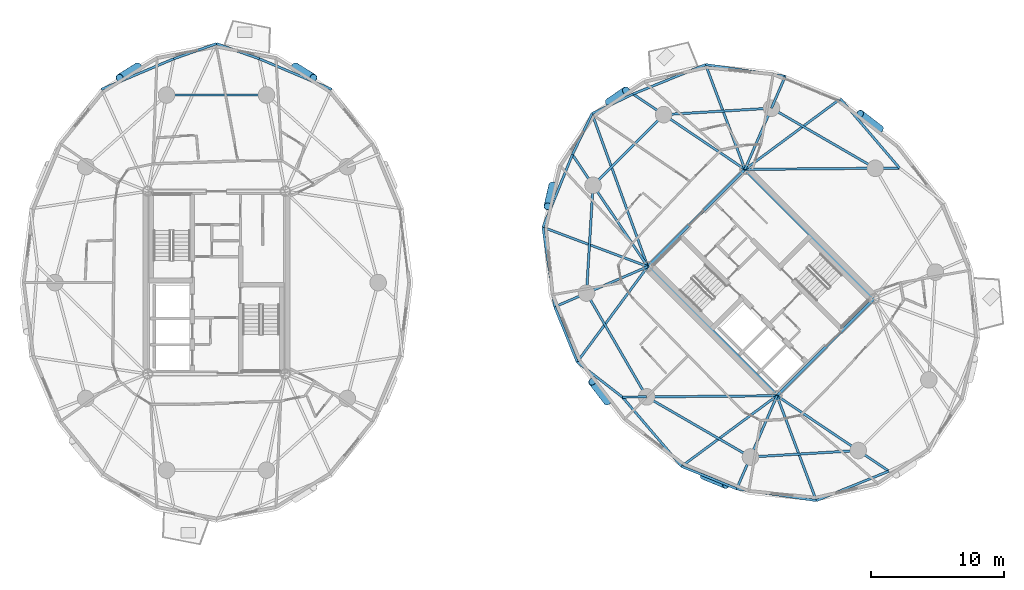
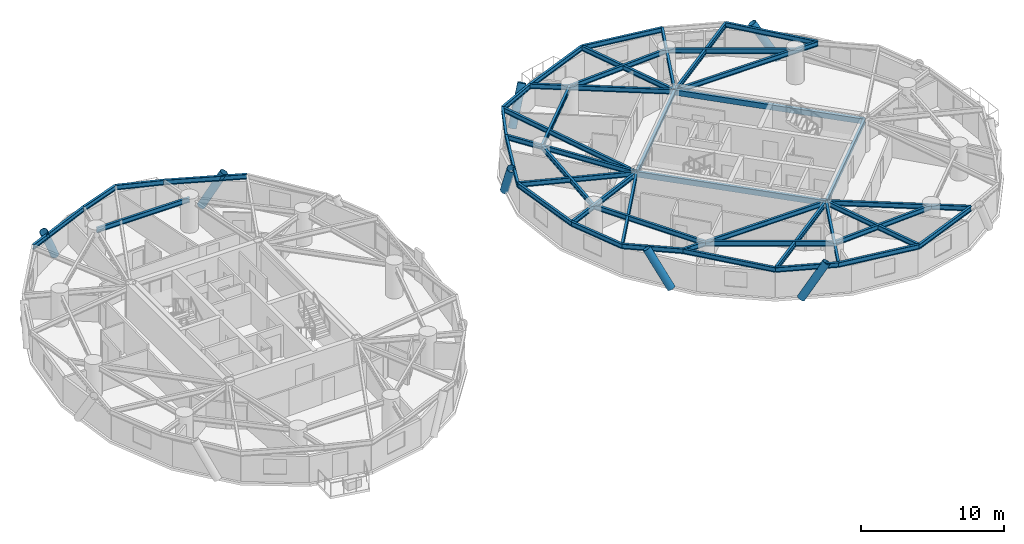
# One storey, part 5 of 17: 46 beams, 7 members.
"""IFC4 building model written with IfcOpenShell, lengths in metres."""

from ifc_helpers import new_model, si_unit, direction, frame, origin, origin_2d, place, context, subcontext, project, spatial, hollow_rectangle, hollow_circle, i_section, extrude, material, material_profile, profile_set, type_object, element, save


model = new_model("IFC4")

# Units and contexts
model_context = context("Model", 3, precision=1e-05, world=origin(), true_north=direction((0.0, 1.0)))
body_context = subcontext(model_context, "Body", "Model", "MODEL_VIEW")
ifc_project = project(units=[si_unit("LENGTHUNIT", "METRE"), si_unit("AREAUNIT", "SQUARE_METRE"), si_unit("VOLUMEUNIT", "CUBIC_METRE"), si_unit("PLANEANGLEUNIT", "RADIAN"), si_unit("MASSUNIT", "GRAM", prefix="KILO")], contexts=[model_context])

# Site, building, storey
site_placement = place(None, origin())
site = spatial("IfcSite", under=ifc_project, at=site_placement, CompositionType="ELEMENT")
building_placement = place(site_placement, origin())
building = spatial("IfcBuilding", under=site, at=building_placement, Name="Cununo Teusaquillo Station Towers", CompositionType="ELEMENT")
storey_placement = place(building_placement, frame((0.0, 0.0, 154.510009765625)))
storey = spatial("IfcBuildingStorey", under=building, at=storey_placement, Name="L48", CompositionType="ELEMENT", Elevation=154.510009765625)

# Beams
ifc_material_1 = material(Name="Steel EN 10025-2 S355J2", Category="steel")
ifc_material_profile_1 = material_profile(ifc_material_1, hollow_rectangle(XDim=0.25, YDim=0.449951171875, WallThickness=0.01611328125, at=origin_2d()), Name="RHS 450x250x16")
ifc_profile_set_1 = profile_set([ifc_material_profile_1], Name="Steel EN 10025-2 S355J2")
beam_type_1 = type_object("IfcBeamType", Name="BM-COUP-1", PredefinedType="USERDEFINED", material=ifc_profile_set_1)
for number, where, z_axis, x_axis, name in (
    (1, (58.70556640625, 15.975830078125, 2.465087890625), (-0.707106781187, 0.707106781187, 0.0), (-0.707106781187, -0.707106781187, 0.0), "L48 Tower B Core Beam 1"),
    (2, (66.024169921875, 23.29443359375, 2.465087890625), (-0.707106781187, 0.707106781187, 0.0), (-0.707106781187, -0.707106781187, 0.0), "L48 Tower B Core Beam 2"),
):
    element("IfcBeam", number, at=place(storey_placement, frame(where, z_axis=z_axis, x_axis=x_axis)), inside=storey, type_object=beam_type_1, Name=name, ObjectType="COUPLING BEAM", PredefinedType="USERDEFINED", context=body_context, shape_type="SweptSolid", body=[
        extrude(hollow_rectangle(XDim=0.25, YDim=0.449951171875, WallThickness=0.01611328125, at=origin_2d()), origin(), (0.0, 0.0, 1.0), 13.760009765625),
    ])
ifc_material_2 = material(Name="Steel ASTM A572 Grade 50", Category="steel")
ifc_material_profile_2 = material_profile(ifc_material_2, i_section(OverallWidth=0.180908203125, OverallDepth=0.4169921875, WebThickness=0.010986328125, FlangeThickness=0.018310546875, FilletRadius=0.012939453125, at=origin_2d()), Name="W16X57")
ifc_profile_set_2 = profile_set([ifc_material_profile_2], Name="Steel ASTM A572 Grade 50")
beam_type_2 = type_object("IfcBeamType", Name="BM-JOIST-1", PredefinedType="JOIST", material=ifc_profile_set_2)
beam_1_placement = place(storey_placement, frame((56.29443359375, 33.024169921875, 2.4814453125), z_axis=(0.803848430471, 0.594834179272, 0.0), x_axis=(-0.594834179272, 0.803848430471, 0.0)))
element("IfcBeam", 3, at=beam_1_placement, inside=storey, type_object=beam_type_2, Name="L48 Tower B Radial Spandrel Joist V01", PredefinedType="JOIST", context=body_context, shape_type="SweptSolid", body=[
    extrude(i_section(OverallWidth=0.180908203125, OverallDepth=0.4169921875, WebThickness=0.010986328125, FlangeThickness=0.018310546875, FilletRadius=0.012939453125, at=origin_2d()), origin(), (0.0, 0.0, 1.0), 8.936767578125),
])
beam_2_placement = place(storey_placement, frame((56.29443359375, 33.024169921875, 2.4814453125), z_axis=(-0.351348805076, 0.936244635323, 0.0), x_axis=(-0.936244635323, -0.351348805076, 0.0)))
element("IfcBeam", 4, at=beam_2_placement, inside=storey, type_object=beam_type_2, Name="L48 Tower B Radial Spandrel Joist V03", PredefinedType="JOIST", context=body_context, shape_type="SweptSolid", body=[
    extrude(i_section(OverallWidth=0.180908203125, OverallDepth=0.4169921875, WebThickness=0.010986328125, FlangeThickness=0.018310546875, FilletRadius=0.012939453125, at=origin_2d()), origin(), (0.0, 0.0, 1.0), 8.4287109375),
])
beam_3_placement = place(storey_placement, frame((48.975830078125, 25.70556640625, 2.4814453125), z_axis=(-0.34241791496, 0.939547748395, 0.0), x_axis=(-0.939547748395, -0.34241791496, 0.0)))
element("IfcBeam", 5, at=beam_3_placement, inside=storey, type_object=beam_type_2, Name="L48 Tower B Radial Spandrel Joist V05", PredefinedType="JOIST", context=body_context, shape_type="SweptSolid", body=[
    extrude(i_section(OverallWidth=0.180908203125, OverallDepth=0.4169921875, WebThickness=0.010986328125, FlangeThickness=0.018310546875, FilletRadius=0.012939453125, at=origin_2d()), origin(), (0.0, 0.0, 1.0), 12.25634765625),
])
beam_4_placement = place(storey_placement, frame((48.975830078125, 25.70556640625, 2.4814453125), z_axis=(-0.936244635323, 0.351348805076, 0.0), x_axis=(-0.351348805076, -0.936244635323, 0.0)))
element("IfcBeam", 6, at=beam_4_placement, inside=storey, type_object=beam_type_2, Name="L48 Tower B Radial Spandrel Joist V07", PredefinedType="JOIST", context=body_context, shape_type="SweptSolid", body=[
    extrude(i_section(OverallWidth=0.180908203125, OverallDepth=0.4169921875, WebThickness=0.010986328125, FlangeThickness=0.018310546875, FilletRadius=0.012939453125, at=origin_2d()), origin(), (0.0, 0.0, 1.0), 8.4287109375),
])
for number, where, z_axis, x_axis, name in (
    (7, (48.975830078125, 25.70556640625, 2.4814453125), (-0.594834179272, -0.803848430471, 0.0), (0.803848430471, -0.594834179272, 0.0), "L48 Tower B Radial Spandrel Joist V09"),
    (8, (58.70556640625, 15.975830078125, 2.4814453125), (-0.803848430471, -0.594834179272, 0.0), (0.594834179272, -0.803848430471, 0.0), "L48 Tower B Radial Spandrel Joist V11"),
):
    element("IfcBeam", number, at=place(storey_placement, frame(where, z_axis=z_axis, x_axis=x_axis)), inside=storey, type_object=beam_type_2, Name=name, PredefinedType="JOIST", context=body_context, shape_type="SweptSolid", body=[
        extrude(i_section(OverallWidth=0.180908203125, OverallDepth=0.4169921875, WebThickness=0.010986328125, FlangeThickness=0.018310546875, FilletRadius=0.012939453125, at=origin_2d()), origin(), (0.0, 0.0, 1.0), 8.936767578125),
    ])
beam_5_placement = place(storey_placement, frame((58.70556640625, 15.975830078125, 2.4814453125), z_axis=(0.351348805076, -0.936244635323, 0.0), x_axis=(0.936244635323, 0.351348805076, 0.0)))
element("IfcBeam", 9, at=beam_5_placement, inside=storey, type_object=beam_type_2, Name="L48 Tower B Radial Spandrel Joist V13", PredefinedType="JOIST", context=body_context, shape_type="SweptSolid", body=[
    extrude(i_section(OverallWidth=0.180908203125, OverallDepth=0.4169921875, WebThickness=0.010986328125, FlangeThickness=0.018310546875, FilletRadius=0.012939453125, at=origin_2d()), origin(), (0.0, 0.0, 1.0), 8.4287109375),
])
ifc_material_3 = material(Name="Steel ASTM A572 Grade 50", Category="steel")
ifc_material_profile_3 = material_profile(ifc_material_3, i_section(OverallWidth=0.2041015625, OverallDepth=0.35009765625, WebThickness=0.008544921875, FlangeThickness=0.01513671875, FilletRadius=0.011962890625, at=origin_2d()), Name="W14X48")
ifc_profile_set_3 = profile_set([ifc_material_profile_3], Name="Steel ASTM A572 Grade 50")
beam_type_3 = type_object("IfcBeamType", Name="BM-LINTEL-1", PredefinedType="LINTEL", material=ifc_profile_set_3)
for number, where, z_axis, x_axis, name in (
    (10, (58.70556640625, 15.975830078125, 2.514892578125), (0.707106781187, 0.707106781187, 0.0), (-0.707106781187, 0.707106781187, 0.0), "L48 Tower B Core Beam 3"),
    (11, (48.975830078125, 25.70556640625, 2.514892578125), (0.707106781187, 0.707106781187, 0.0), (-0.707106781187, 0.707106781187, 0.0), "L48 Tower B Core Beam 4"),
):
    element("IfcBeam", number, at=place(storey_placement, frame(where, z_axis=z_axis, x_axis=x_axis)), inside=storey, type_object=beam_type_3, Name=name, PredefinedType="LINTEL", context=body_context, shape_type="SweptSolid", body=[
        extrude(i_section(OverallWidth=0.2041015625, OverallDepth=0.35009765625, WebThickness=0.008544921875, FlangeThickness=0.01513671875, FilletRadius=0.011962890625, at=origin_2d()), origin(), (0.0, 0.0, 1.0), 10.35009765625),
    ])
ifc_material_4 = material(Name="Steel ASTM A572 Grade 50", Category="steel")
ifc_material_profile_4 = material_profile(ifc_material_4, i_section(OverallWidth=0.180908203125, OverallDepth=0.4169921875, WebThickness=0.010986328125, FlangeThickness=0.018310546875, FilletRadius=0.012939453125, at=origin_2d()), Name="W16X57")
ifc_profile_set_4 = profile_set([ifc_material_profile_4], Name="Steel ASTM A572 Grade 50")
beam_type_4 = type_object("IfcBeamType", Name="BM-RAD-G2", PredefinedType="BEAM", material=ifc_profile_set_4)
beam_6_placement = place(storey_placement, frame((56.29443359375, 33.024169921875, 2.4814453125), z_axis=(0.999964454788, 0.008431438866, 0.0), x_axis=(-0.008431438866, 0.999964454788, 0.0)))
element("IfcBeam", 12, at=beam_6_placement, inside=storey, type_object=beam_type_4, Name="L48 Tower B Continuous Overhanging Radial Girder 01", PredefinedType="BEAM", context=body_context, shape_type="SweptSolid", body=[
    extrude(i_section(OverallWidth=0.180908203125, OverallDepth=0.4169921875, WebThickness=0.010986328125, FlangeThickness=0.018310546875, FilletRadius=0.012939453125, at=origin_2d()), origin(), (0.0, 0.0, 1.0), 11.640380859375),
])
beam_7_placement = place(storey_placement, frame((56.29443359375, 33.024169921875, 2.4814453125), z_axis=(0.397346986387, 0.917668443616, 0.0), x_axis=(-0.917668443616, 0.397346986387, 0.0)))
element("IfcBeam", 13, at=beam_7_placement, inside=storey, type_object=beam_type_4, Name="L48 Tower B Radial Girder 02A", PredefinedType="BEAM", context=body_context, shape_type="SweptSolid", body=[
    extrude(i_section(OverallWidth=0.180908203125, OverallDepth=0.4169921875, WebThickness=0.010986328125, FlangeThickness=0.018310546875, FilletRadius=0.012939453125, at=origin_2d()), origin(), (0.0, 0.0, 1.0), 5.02490234375),
])
beam_8_placement = place(storey_placement, frame((58.291015625, 37.63525390625, 2.4814453125), z_axis=(0.397431352311, 0.917631908883, 0.0), x_axis=(-0.917631908883, 0.397431352311, 0.0)))
element("IfcBeam", 14, at=beam_8_placement, inside=storey, type_object=beam_type_4, Name="L48 Tower B Perimeter Overhang Girder 02B", PredefinedType="BEAM", context=body_context, shape_type="SweptSolid", body=[
    extrude(i_section(OverallWidth=0.180908203125, OverallDepth=0.4169921875, WebThickness=0.010986328125, FlangeThickness=0.018310546875, FilletRadius=0.012939453125, at=origin_2d()), origin(), (0.0, 0.0, 1.0), 2.607177734375),
])
for number, where, z_axis, x_axis, name in (
    (15, (56.29443359375, 33.024169921875, 2.4814453125), (-0.829456923219, 0.558570687133, 0.0), (-0.558570687133, -0.829456923219, 0.0), "L48 Tower B Continuous Overhanging Radial Girder 03"),
    (16, (48.975830078125, 25.70556640625, 2.4814453125), (-0.558570687133, 0.829456923219, 0.0), (-0.829456923219, -0.558570687133, 0.0), "L48 Tower B Continuous Overhanging Radial Girder 04"),
):
    element("IfcBeam", number, at=place(storey_placement, frame(where, z_axis=z_axis, x_axis=x_axis)), inside=storey, type_object=beam_type_4, Name=name, PredefinedType="BEAM", context=body_context, shape_type="SweptSolid", body=[
        extrude(i_section(OverallWidth=0.180908203125, OverallDepth=0.4169921875, WebThickness=0.010986328125, FlangeThickness=0.018310546875, FilletRadius=0.012939453125, at=origin_2d()), origin(), (0.0, 0.0, 1.0), 10.1591796875),
    ])
beam_9_placement = place(storey_placement, frame((48.975830078125, 25.70556640625, 2.4814453125), z_axis=(-0.917655964072, -0.397375806515, 0.0), x_axis=(0.397375806515, -0.917655964072, 0.0)))
element("IfcBeam", 17, at=beam_9_placement, inside=storey, type_object=beam_type_4, Name="L48 Tower B Continuous Overhanging Radial Girder 05", PredefinedType="BEAM", context=body_context, shape_type="SweptSolid", body=[
    extrude(i_section(OverallWidth=0.180908203125, OverallDepth=0.4169921875, WebThickness=0.010986328125, FlangeThickness=0.018310546875, FilletRadius=0.012939453125, at=origin_2d()), origin(), (0.0, 0.0, 1.0), 7.6318359375),
])
beam_10_placement = place(storey_placement, frame((58.70556640625, 15.975830078125, 2.4814453125), z_axis=(-0.999964431382, -0.008434214327, 0.0), x_axis=(0.008434214327, -0.999964431382, 0.0)))
element("IfcBeam", 18, at=beam_10_placement, inside=storey, type_object=beam_type_4, Name="L48 Tower B Radial Girder 06A", PredefinedType="BEAM", context=body_context, shape_type="SweptSolid", body=[
    extrude(i_section(OverallWidth=0.180908203125, OverallDepth=0.4169921875, WebThickness=0.010986328125, FlangeThickness=0.018310546875, FilletRadius=0.012939453125, at=origin_2d()), origin(), (0.0, 0.0, 1.0), 9.812744140625),
])
beam_11_placement = place(storey_placement, frame((48.89306640625, 15.89306640625, 2.4814453125), z_axis=(-0.999964580337, -0.008416535546, 0.0), x_axis=(0.008416535546, -0.999964580337, 0.0)))
element("IfcBeam", 19, at=beam_11_placement, inside=storey, type_object=beam_type_4, Name="L48 Tower B Perimeter Overhang Girder 06B", PredefinedType="BEAM", context=body_context, shape_type="SweptSolid", body=[
    extrude(i_section(OverallWidth=0.180908203125, OverallDepth=0.4169921875, WebThickness=0.010986328125, FlangeThickness=0.018310546875, FilletRadius=0.012939453125, at=origin_2d()), origin(), (0.0, 0.0, 1.0), 1.827392578125),
])
beam_12_placement = place(storey_placement, frame((58.70556640625, 15.975830078125, 2.4814453125), z_axis=(-0.397375806515, -0.917655964072, 0.0), x_axis=(0.917655964072, -0.397375806515, 0.0)))
element("IfcBeam", 20, at=beam_12_placement, inside=storey, type_object=beam_type_4, Name="L48 Tower B Continuous Overhanging Radial Girder 07", PredefinedType="BEAM", context=body_context, shape_type="SweptSolid", body=[
    extrude(i_section(OverallWidth=0.180908203125, OverallDepth=0.4169921875, WebThickness=0.010986328125, FlangeThickness=0.018310546875, FilletRadius=0.012939453125, at=origin_2d()), origin(), (0.0, 0.0, 1.0), 7.6318359375),
])
beam_13_placement = place(storey_placement, frame((58.70556640625, 15.975830078125, 2.4814453125), z_axis=(0.829456923219, -0.558570687133, 0.0), x_axis=(0.558570687133, 0.829456923219, 0.0)))
element("IfcBeam", 21, at=beam_13_placement, inside=storey, type_object=beam_type_4, Name="L48 Tower B Continuous Overhanging Radial Girder 08", PredefinedType="BEAM", context=body_context, shape_type="SweptSolid", body=[
    extrude(i_section(OverallWidth=0.180908203125, OverallDepth=0.4169921875, WebThickness=0.010986328125, FlangeThickness=0.018310546875, FilletRadius=0.012939453125, at=origin_2d()), origin(), (0.0, 0.0, 1.0), 10.1591796875),
])
ifc_material_5 = material(Name="Steel ASTM A572 Grade 50", Category="steel")
ifc_material_profile_5 = material_profile(ifc_material_5, i_section(OverallWidth=0.180908203125, OverallDepth=0.4169921875, WebThickness=0.010986328125, FlangeThickness=0.018310546875, FilletRadius=0.012939453125, at=origin_2d()), Name="W16X57")
ifc_profile_set_5 = profile_set([ifc_material_profile_5], Name="Steel ASTM A572 Grade 50")
beam_type_5 = type_object("IfcBeamType", Name="BM-RING-Z3", PredefinedType="SPANDREL", material=ifc_profile_set_5)
beam_14_placement = place(storey_placement, frame((20.261474609375, 38.623291015625, 2.4814453125), z_axis=(-1.0, 0.0, 0.0), x_axis=(0.0, -1.0, 0.0)))
element("IfcBeam", 22, at=beam_14_placement, inside=storey, type_object=beam_type_5, Name="L48 Tower A Structural Column Ring Girder 03", PredefinedType="SPANDREL", context=body_context, shape_type="SweptSolid", body=[
    extrude(i_section(OverallWidth=0.180908203125, OverallDepth=0.4169921875, WebThickness=0.010986328125, FlangeThickness=0.018310546875, FilletRadius=0.012939453125, at=origin_2d()), origin(), (0.0, 0.0, 1.0), 7.52294921875),
])
beam_15_placement = place(storey_placement, frame((25.160888671875, 39.05419921875, 2.4814453125), z_axis=(-0.921042081118, 0.38946307246, 0.0), x_axis=(-0.38946307246, -0.921042081118, 0.0)))
element("IfcBeam", 23, at=beam_15_placement, inside=storey, type_object=beam_type_5, Name="L48 Tower A Spandrel Ring Beam 04", PredefinedType="SPANDREL", context=body_context, shape_type="SweptSolid", body=[
    extrude(i_section(OverallWidth=0.180908203125, OverallDepth=0.4169921875, WebThickness=0.010986328125, FlangeThickness=0.018310546875, FilletRadius=0.012939453125, at=origin_2d()), origin(), (0.0, 0.0, 1.0), 5.8974609375),
])
for number, where, z_axis, x_axis, name in (
    (24, (19.72900390625, 41.35107421875, 2.4814453125), (-0.943057449198, 0.332629895698, 0.0), (-0.332629895698, -0.943057449198, 0.0), "L48 Tower A Spandrel Ring Beam 05"),
    (25, (16.5, 42.489990234375, 2.4814453125), (-0.943057449198, -0.332629895698, 0.0), (0.332629895698, -0.943057449198, 0.0), "L48 Tower A Spandrel Ring Beam 06"),
):
    element("IfcBeam", number, at=place(storey_placement, frame(where, z_axis=z_axis, x_axis=x_axis)), inside=storey, type_object=beam_type_5, Name=name, PredefinedType="SPANDREL", context=body_context, shape_type="SweptSolid", body=[
        extrude(i_section(OverallWidth=0.180908203125, OverallDepth=0.4169921875, WebThickness=0.010986328125, FlangeThickness=0.018310546875, FilletRadius=0.012939453125, at=origin_2d()), origin(), (0.0, 0.0, 1.0), 3.424072265625),
    ])
beam_16_placement = place(storey_placement, frame((13.27099609375, 41.35107421875, 2.4814453125), z_axis=(-0.921042081118, -0.38946307246, 0.0), x_axis=(0.38946307246, -0.921042081118, 0.0)))
element("IfcBeam", 26, at=beam_16_placement, inside=storey, type_object=beam_type_5, Name="L48 Tower A Spandrel Ring Beam 07", PredefinedType="SPANDREL", context=body_context, shape_type="SweptSolid", body=[
    extrude(i_section(OverallWidth=0.180908203125, OverallDepth=0.4169921875, WebThickness=0.010986328125, FlangeThickness=0.018310546875, FilletRadius=0.012939453125, at=origin_2d()), origin(), (0.0, 0.0, 1.0), 5.8974609375),
])
beam_17_placement = place(storey_placement, frame((66.10693359375, 33.10693359375, 2.4814453125), z_axis=(-0.865267103202, 0.501311121078, 0.0), x_axis=(-0.501311121078, -0.865267103202, 0.0)))
element("IfcBeam", 27, at=beam_17_placement, inside=storey, type_object=beam_type_5, Name="L48 Tower B Structural Column Ring Girder 01", PredefinedType="SPANDREL", context=body_context, shape_type="SweptSolid", body=[
    extrude(i_section(OverallWidth=0.180908203125, OverallDepth=0.4169921875, WebThickness=0.010986328125, FlangeThickness=0.018310546875, FilletRadius=0.012939453125, at=origin_2d()), origin(), (0.0, 0.0, 1.0), 9.032958984375),
])
beam_18_placement = place(storey_placement, frame((58.291015625, 37.63525390625, 2.4814453125), z_axis=(-0.998190567048, -0.06012979176, 0.0), x_axis=(0.06012979176, -0.998190567048, 0.0)))
element("IfcBeam", 28, at=beam_18_placement, inside=storey, type_object=beam_type_5, Name="L48 Tower B Structural Column Ring Girder 02", PredefinedType="SPANDREL", context=body_context, shape_type="SweptSolid", body=[
    extrude(i_section(OverallWidth=0.180908203125, OverallDepth=0.4169921875, WebThickness=0.010986328125, FlangeThickness=0.018310546875, FilletRadius=0.012939453125, at=origin_2d()), origin(), (0.0, 0.0, 1.0), 8.132568359375),
])
beam_19_placement = place(storey_placement, frame((50.173095703125, 37.146240234375, 2.4814453125), z_axis=(-0.707106781187, -0.707106781187, 0.0), x_axis=(0.707106781187, -0.707106781187, 0.0)))
element("IfcBeam", 29, at=beam_19_placement, inside=storey, type_object=beam_type_5, Name="L48 Tower B Structural Column Ring Girder 03", PredefinedType="SPANDREL", context=body_context, shape_type="SweptSolid", body=[
    extrude(i_section(OverallWidth=0.180908203125, OverallDepth=0.4169921875, WebThickness=0.010986328125, FlangeThickness=0.018310546875, FilletRadius=0.012939453125, at=origin_2d()), origin(), (0.0, 0.0, 1.0), 7.522705078125),
])
beam_20_placement = place(storey_placement, frame((44.853759765625, 31.826904296875, 2.4814453125), z_axis=(-0.06012979176, -0.998190567048, 0.0), x_axis=(0.998190567048, -0.06012979176, 0.0)))
element("IfcBeam", 30, at=beam_20_placement, inside=storey, type_object=beam_type_5, Name="L48 Tower B Structural Column Ring Girder 04", PredefinedType="SPANDREL", context=body_context, shape_type="SweptSolid", body=[
    extrude(i_section(OverallWidth=0.180908203125, OverallDepth=0.4169921875, WebThickness=0.010986328125, FlangeThickness=0.018310546875, FilletRadius=0.012939453125, at=origin_2d()), origin(), (0.0, 0.0, 1.0), 8.132568359375),
])
for number, where, z_axis, x_axis, name in (
    (31, (44.36474609375, 23.708984375, 2.4814453125), (0.501311121078, -0.865267103202, 0.0), (0.865267103202, 0.501311121078, 0.0), "L48 Tower B Structural Column Ring Girder 05"),
    (32, (48.89306640625, 15.89306640625, 2.4814453125), (0.865267103202, -0.501311121078, 0.0), (0.501311121078, 0.865267103202, 0.0), "L48 Tower B Structural Column Ring Girder 06"),
):
    element("IfcBeam", number, at=place(storey_placement, frame(where, z_axis=z_axis, x_axis=x_axis)), inside=storey, type_object=beam_type_5, Name=name, PredefinedType="SPANDREL", context=body_context, shape_type="SweptSolid", body=[
        extrude(i_section(OverallWidth=0.180908203125, OverallDepth=0.4169921875, WebThickness=0.010986328125, FlangeThickness=0.018310546875, FilletRadius=0.012939453125, at=origin_2d()), origin(), (0.0, 0.0, 1.0), 9.032958984375),
    ])
beam_21_placement = place(storey_placement, frame((56.708984375, 11.36474609375, 2.4814453125), z_axis=(0.998190567048, 0.06012979176, 0.0), x_axis=(-0.06012979176, 0.998190567048, 0.0)))
element("IfcBeam", 33, at=beam_21_placement, inside=storey, type_object=beam_type_5, Name="L48 Tower B Structural Column Ring Girder 07", PredefinedType="SPANDREL", context=body_context, shape_type="SweptSolid", body=[
    extrude(i_section(OverallWidth=0.180908203125, OverallDepth=0.4169921875, WebThickness=0.010986328125, FlangeThickness=0.018310546875, FilletRadius=0.012939453125, at=origin_2d()), origin(), (0.0, 0.0, 1.0), 8.132568359375),
])
beam_22_placement = place(storey_placement, frame((67.934326171875, 33.122314453125, 2.4814453125), z_axis=(-0.64941898982, 0.760430782952, 0.0), x_axis=(-0.760430782952, -0.64941898982, 0.0)))
element("IfcBeam", 34, at=beam_22_placement, inside=storey, type_object=beam_type_5, Name="L48 Tower B Spandrel Ring Beam 01", PredefinedType="SPANDREL", context=body_context, shape_type="SweptSolid", body=[
    extrude(i_section(OverallWidth=0.180908203125, OverallDepth=0.4169921875, WebThickness=0.010986328125, FlangeThickness=0.018310546875, FilletRadius=0.012939453125, at=origin_2d()), origin(), (0.0, 0.0, 1.0), 6.861572265625),
])
beam_23_placement = place(storey_placement, frame((59.3271484375, 40.027587890625, 2.4814453125), z_axis=(-0.989205409176, 0.146535519435, 0.0), x_axis=(-0.146535519435, -0.989205409176, 0.0)))
element("IfcBeam", 35, at=beam_23_placement, inside=storey, type_object=beam_type_5, Name="L48 Tower B Spandrel Ring Beam 03", PredefinedType="SPANDREL", context=body_context, shape_type="SweptSolid", body=[
    extrude(i_section(OverallWidth=0.180908203125, OverallDepth=0.4169921875, WebThickness=0.010986328125, FlangeThickness=0.018310546875, FilletRadius=0.012939453125, at=origin_2d()), origin(), (0.0, 0.0, 1.0), 6.0595703125),
])
beam_24_placement = place(storey_placement, frame((53.3330078125, 40.91552734375, 2.4814453125), z_axis=(-0.926667183359, -0.375882869104, 0.0), x_axis=(0.375882869104, -0.926667183359, 0.0)))
element("IfcBeam", 36, at=beam_24_placement, inside=storey, type_object=beam_type_5, Name="L48 Tower B Spandrel Ring Beam 04", PredefinedType="SPANDREL", context=body_context, shape_type="SweptSolid", body=[
    extrude(i_section(OverallWidth=0.180908203125, OverallDepth=0.4169921875, WebThickness=0.010986328125, FlangeThickness=0.018310546875, FilletRadius=0.012939453125, at=origin_2d()), origin(), (0.0, 0.0, 1.0), 5.8974609375),
])
for number, where, z_axis, x_axis, name in (
    (37, (47.867919921875, 38.69873046875, 2.4814453125), (-0.902077503555, -0.431574069634, 0.0), (0.431574069634, -0.902077503555, 0.0), "L48 Tower B Spandrel Ring Beam 05"),
    (38, (44.779052734375, 37.220947265625, 2.4814453125), (-0.431574069634, -0.902077503555, 0.0), (0.902077503555, -0.431574069634, 0.0), "L48 Tower B Spandrel Ring Beam 06"),
):
    element("IfcBeam", number, at=place(storey_placement, frame(where, z_axis=z_axis, x_axis=x_axis)), inside=storey, type_object=beam_type_5, Name=name, PredefinedType="SPANDREL", context=body_context, shape_type="SweptSolid", body=[
        extrude(i_section(OverallWidth=0.180908203125, OverallDepth=0.4169921875, WebThickness=0.010986328125, FlangeThickness=0.018310546875, FilletRadius=0.012939453125, at=origin_2d()), origin(), (0.0, 0.0, 1.0), 3.424072265625),
    ])
beam_25_placement = place(storey_placement, frame((43.30126953125, 34.132080078125, 2.4814453125), z_axis=(-0.375882869104, -0.926667183359, 0.0), x_axis=(0.926667183359, -0.375882869104, 0.0)))
element("IfcBeam", 39, at=beam_25_placement, inside=storey, type_object=beam_type_5, Name="L48 Tower B Spandrel Ring Beam 07", PredefinedType="SPANDREL", context=body_context, shape_type="SweptSolid", body=[
    extrude(i_section(OverallWidth=0.180908203125, OverallDepth=0.4169921875, WebThickness=0.010986328125, FlangeThickness=0.018310546875, FilletRadius=0.012939453125, at=origin_2d()), origin(), (0.0, 0.0, 1.0), 5.8974609375),
])
beam_26_placement = place(storey_placement, frame((41.08447265625, 28.6669921875, 2.4814453125), z_axis=(0.146535519435, -0.989205409176, 0.0), x_axis=(0.989205409176, 0.146535519435, 0.0)))
element("IfcBeam", 40, at=beam_26_placement, inside=storey, type_object=beam_type_5, Name="L48 Tower B Spandrel Ring Beam 08", PredefinedType="SPANDREL", context=body_context, shape_type="SweptSolid", body=[
    extrude(i_section(OverallWidth=0.180908203125, OverallDepth=0.4169921875, WebThickness=0.010986328125, FlangeThickness=0.018310546875, FilletRadius=0.012939453125, at=origin_2d()), origin(), (0.0, 0.0, 1.0), 6.0595703125),
])
beam_27_placement = place(storey_placement, frame((41.972412109375, 22.6728515625, 2.4814453125), z_axis=(0.376588942192, -0.926380466449, 0.0), x_axis=(0.926380466449, 0.376588942192, 0.0)))
element("IfcBeam", 41, at=beam_27_placement, inside=storey, type_object=beam_type_5, Name="L48 Tower B Spandrel Ring Beam 09", PredefinedType="SPANDREL", context=body_context, shape_type="SweptSolid", body=[
    extrude(i_section(OverallWidth=0.180908203125, OverallDepth=0.4169921875, WebThickness=0.010986328125, FlangeThickness=0.018310546875, FilletRadius=0.012939453125, at=origin_2d()), origin(), (0.0, 0.0, 1.0), 4.48095703125),
])
beam_28_placement = place(storey_placement, frame((43.659912109375, 18.521728515625, 2.4814453125), z_axis=(0.789900716386, -0.613234749711, 0.0), x_axis=(0.613234749711, 0.789900716386, 0.0)))
element("IfcBeam", 42, at=beam_28_placement, inside=storey, type_object=beam_type_5, Name="L48 Tower B Spandrel Ring Beam 10", PredefinedType="SPANDREL", context=body_context, shape_type="SweptSolid", body=[
    extrude(i_section(OverallWidth=0.180908203125, OverallDepth=0.4169921875, WebThickness=0.010986328125, FlangeThickness=0.018310546875, FilletRadius=0.012939453125, at=origin_2d()), origin(), (0.0, 0.0, 1.0), 4.3115234375),
])
beam_29_placement = place(storey_placement, frame((47.065673828125, 15.877685546875, 2.4814453125), z_axis=(0.64941898982, -0.760430782952, 0.0), x_axis=(0.760430782952, 0.64941898982, 0.0)))
element("IfcBeam", 43, at=beam_29_placement, inside=storey, type_object=beam_type_5, Name="L48 Tower B Spandrel Ring Beam 11", PredefinedType="SPANDREL", context=body_context, shape_type="SweptSolid", body=[
    extrude(i_section(OverallWidth=0.180908203125, OverallDepth=0.4169921875, WebThickness=0.010986328125, FlangeThickness=0.018310546875, FilletRadius=0.012939453125, at=origin_2d()), origin(), (0.0, 0.0, 1.0), 6.861572265625),
])
beam_30_placement = place(storey_placement, frame((51.521728515625, 10.659912109375, 2.4814453125), z_axis=(0.926380466449, -0.376588942192, 0.0), x_axis=(0.376588942192, 0.926380466449, 0.0)))
element("IfcBeam", 44, at=beam_30_placement, inside=storey, type_object=beam_type_5, Name="L48 Tower B Spandrel Ring Beam 12", PredefinedType="SPANDREL", context=body_context, shape_type="SweptSolid", body=[
    extrude(i_section(OverallWidth=0.180908203125, OverallDepth=0.4169921875, WebThickness=0.010986328125, FlangeThickness=0.018310546875, FilletRadius=0.012939453125, at=origin_2d()), origin(), (0.0, 0.0, 1.0), 4.48095703125),
])
beam_31_placement = place(storey_placement, frame((55.6728515625, 8.972412109375, 2.4814453125), z_axis=(0.989205409176, -0.146535519435, 0.0), x_axis=(0.146535519435, 0.989205409176, 0.0)))
element("IfcBeam", 45, at=beam_31_placement, inside=storey, type_object=beam_type_5, Name="L48 Tower B Spandrel Ring Beam 13", PredefinedType="SPANDREL", context=body_context, shape_type="SweptSolid", body=[
    extrude(i_section(OverallWidth=0.180908203125, OverallDepth=0.4169921875, WebThickness=0.010986328125, FlangeThickness=0.018310546875, FilletRadius=0.012939453125, at=origin_2d()), origin(), (0.0, 0.0, 1.0), 6.0595703125),
])
beam_32_placement = place(storey_placement, frame((61.6669921875, 8.08447265625, 2.4814453125), z_axis=(0.926667183359, 0.375882869104, 0.0), x_axis=(-0.375882869104, 0.926667183359, 0.0)))
element("IfcBeam", 46, at=beam_32_placement, inside=storey, type_object=beam_type_5, Name="L48 Tower B Spandrel Ring Beam 14", PredefinedType="SPANDREL", context=body_context, shape_type="SweptSolid", body=[
    extrude(i_section(OverallWidth=0.180908203125, OverallDepth=0.4169921875, WebThickness=0.010986328125, FlangeThickness=0.018310546875, FilletRadius=0.012939453125, at=origin_2d()), origin(), (0.0, 0.0, 1.0), 5.8974609375),
])

# Members
ifc_material_6 = material(Name="Steel EN 10025-2 S355J2", Category="steel")
ifc_material_profile_6 = material_profile(ifc_material_6, hollow_circle(Radius=0.304931640625, WallThickness=0.02001953125, at=origin_2d()), Name="CHS 610x20")
ifc_profile_set_6 = profile_set([ifc_material_profile_6], Name="Steel EN 10025-2 S355J2")
member_type = type_object("IfcMemberType", Name="MBR-DIAG-Z3", PredefinedType="BRACE", material=ifc_profile_set_6)
for number, where, z_axis, x_axis, name in (
    (47, (22.422607421875, 40.7578125, -0.139892578125), (0.411546762261, -0.256042555907, 0.874683641117), (0.528255801217, 0.849085277508, 0.0), "L48 Tower A Folded-Zigzag Diagrid Tube C03"),
    (48, (10.577392578125, 40.7578125, -0.139892578125), (-0.411546762261, -0.256042555907, 0.874683641117), (0.528255801217, -0.849085277508, 0.0), "L48 Tower A Folded-Zigzag Diagrid Tube C06"),
):
    element("IfcMember", number, at=place(storey_placement, frame(where, z_axis=z_axis, x_axis=x_axis)), inside=storey, type_object=member_type, Name=name, PredefinedType="BRACE", context=body_context, shape_type="SweptSolid", body=[
        extrude(hollow_circle(Radius=0.304931640625, WallThickness=0.02001953125, at=origin_2d()), origin(), (0.0, 0.0, 1.0), 3.326904296875),
    ])
member_1_placement = place(storey_placement, frame((66.43896484375, 36.0595703125, -0.139892578125), z_axis=(-0.428091371448, 0.329751780348, 0.841428274453), x_axis=(-0.610234657618, -0.792220715863, 0.0)))
element("IfcMember", 49, at=member_1_placement, inside=storey, type_object=member_type, Name="L48 Tower B Folded-Zigzag Diagrid Tube C00", PredefinedType="BRACE", context=body_context, shape_type="SweptSolid", body=[
    extrude(hollow_circle(Radius=0.304931640625, WallThickness=0.02001953125, at=origin_2d()), origin(), (0.0, 0.0, 1.0), 3.458251953125),
])
member_2_placement = place(storey_placement, frame((46.059814453125, 38.086669921875, -0.139892578125), z_axis=(0.388754467899, 0.262726004035, 0.883088336743), x_axis=(-0.559936520368, 0.828535511103, 0.0)))
element("IfcMember", 50, at=member_2_placement, inside=storey, type_object=member_type, Name="L48 Tower B Folded-Zigzag Diagrid Tube C04", PredefinedType="BRACE", context=body_context, shape_type="SweptSolid", body=[
    extrude(hollow_circle(Radius=0.304931640625, WallThickness=0.02001953125, at=origin_2d()), origin(), (0.0, 0.0, 1.0), 3.295166015625),
])
member_3_placement = place(storey_placement, frame((41.816162109375, 31.80810546875, -0.139892578125), z_axis=(-0.110002817, -0.472080134599, 0.874665494214), x_axis=(0.973909284725, -0.226937667931, 0.0)))
element("IfcMember", 51, at=member_3_placement, inside=storey, type_object=member_type, Name="L48 Tower B Folded-Zigzag Diagrid Tube C06", PredefinedType="BRACE", context=body_context, shape_type="SweptSolid", body=[
    extrude(hollow_circle(Radius=0.304931640625, WallThickness=0.02001953125, at=origin_2d()), origin(), (0.0, 0.0, 1.0), 3.326904296875),
])
member_4_placement = place(storey_placement, frame((45.9404296875, 15.56103515625, -0.139892578125), z_axis=(-0.329751780348, 0.428091371448, 0.841428274453), x_axis=(-0.792220715863, -0.610234657618, 0.0)))
element("IfcMember", 52, at=member_4_placement, inside=storey, type_object=member_type, Name="L48 Tower B Folded-Zigzag Diagrid Tube C09", PredefinedType="BRACE", context=body_context, shape_type="SweptSolid", body=[
    extrude(hollow_circle(Radius=0.304931640625, WallThickness=0.02001953125, at=origin_2d()), origin(), (0.0, 0.0, 1.0), 3.458251953125),
])
member_5_placement = place(storey_placement, frame((53.197021484375, 9.970947265625, -0.139892578125), z_axis=(0.48876373855, -0.200933037955, 0.848961672949), x_axis=(0.380227752796, 0.924892888936, 0.0)))
element("IfcMember", 53, at=member_5_placement, inside=storey, type_object=member_type, Name="L48 Tower B Folded-Zigzag Diagrid Tube C11", PredefinedType="BRACE", context=body_context, shape_type="SweptSolid", body=[
    extrude(hollow_circle(Radius=0.304931640625, WallThickness=0.02001953125, at=origin_2d()), origin(), (0.0, 0.0, 1.0), 3.427734375),
])

save(model, "model.ifc")
